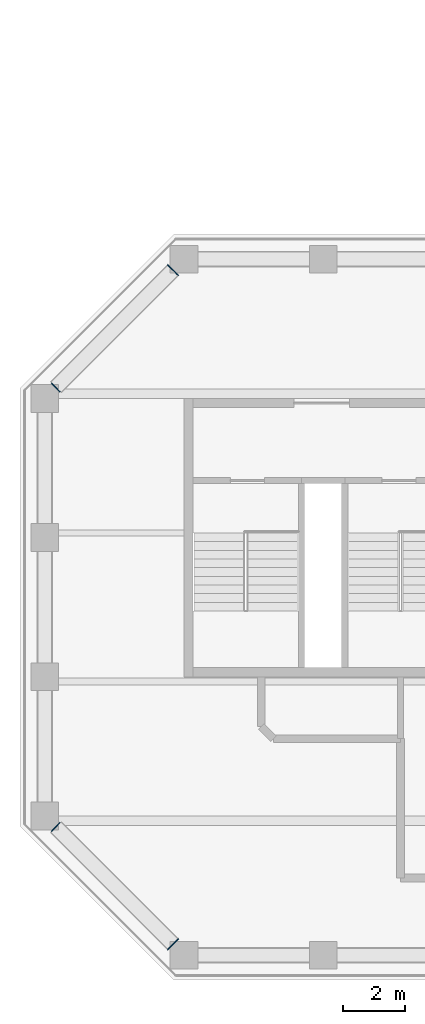
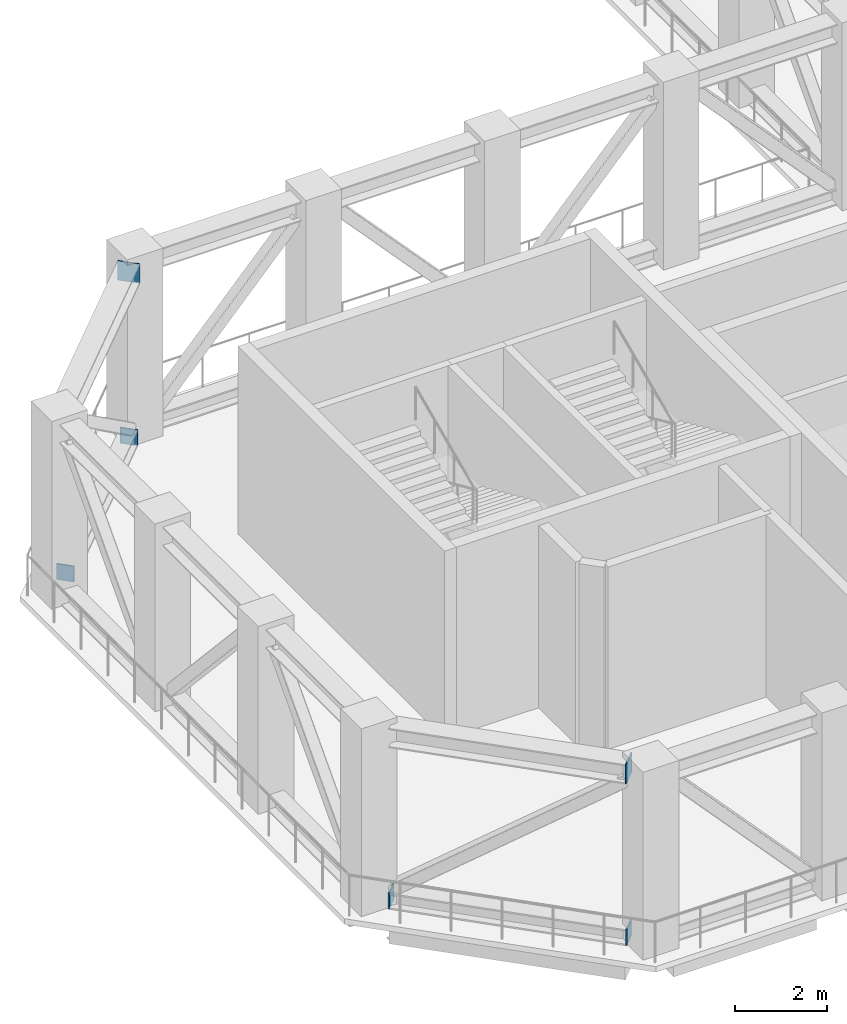
# One storey, part 8 of 13: 6 discrete accessories.
"""IFC4 building model written with IfcOpenShell, lengths in metres."""

from ifc_helpers import new_model, si_unit, direction, frame, origin, origin_2d, place, context, subcontext, project, spatial, rectangle, extrude, material, element, save


model = new_model("IFC4")

# Units and contexts
model_context = context("Model", 3, precision=1e-05, world=origin(), true_north=direction((0.0, 1.0)))
body_context = subcontext(model_context, "Body", "Model", "MODEL_VIEW")
ifc_project = project(units=[si_unit("LENGTHUNIT", "METRE"), si_unit("AREAUNIT", "SQUARE_METRE"), si_unit("VOLUMEUNIT", "CUBIC_METRE"), si_unit("PLANEANGLEUNIT", "RADIAN"), si_unit("MASSUNIT", "GRAM", prefix="KILO")], contexts=[model_context])

# Site, building, storey
site_placement = place(None, origin())
site = spatial("IfcSite", under=ifc_project, at=site_placement, CompositionType="ELEMENT")
building_placement = place(site_placement, origin())
building = spatial("IfcBuilding", under=site, at=building_placement, Name="Quoin Convention Tower", CompositionType="ELEMENT")
storey_placement = place(building_placement, frame((0.0, 0.0, 206.89990234375)))
storey = spatial("IfcBuildingStorey", under=building, at=storey_placement, Name="L54", CompositionType="ELEMENT", Elevation=206.89990234375)

# Discrete accessories
ifc_material = material(Name="Steel Grade 350", Category="steel")
for number, where, z_axis, x_axis, name in (
    (1, (17.6455078125, 62.6455078125, 0.0), (0.0, 0.0, 1.0), (0.707106781187, 0.707106781187, 0.0), "TRUSS END PLATE TRS-L54-BC-18000_63000-13500_58500 A"),
    (2, (13.8544921875, 58.8544921875, 0.0), (0.0, 0.0, 1.0), (-0.707106781187, -0.707106781187, 0.0), "TRUSS END PLATE TRS-L54-BC-18000_63000-13500_58500 B"),
):
    element("IfcDiscreteAccessory", number, at=place(storey_placement, frame(where, z_axis=z_axis, x_axis=x_axis)), inside=storey, material=ifc_material, Name=name, ObjectType="Truss end plate", PredefinedType="USERDEFINED", context=body_context, shape_type="SweptSolid", body=[
        extrude(rectangle(XDim=0.030029296875, YDim=0.39990234375, at=origin_2d()), origin(), (0.0, 0.0, 1.0), 0.422119140625),
    ])
discrete_accessory_1_placement = place(storey_placement, frame((17.6455078125, 62.6455078125, 4.3359375), z_axis=(0.0, 0.0, 1.0), x_axis=(0.707106781187, 0.707106781187, 0.0)))
element("IfcDiscreteAccessory", 3, at=discrete_accessory_1_placement, inside=storey, material=ifc_material, Name="TRUSS END PLATE TRS-L54-TC-18000_63000-13500_58500 A", ObjectType="Truss end plate", PredefinedType="USERDEFINED", context=body_context, shape_type="SweptSolid", body=[
    extrude(rectangle(XDim=0.030029296875, YDim=0.5, at=origin_2d()), origin(), (0.0, 0.0, 1.0), 0.513916015625),
])
for number, where, z_axis, x_axis, name in (
    (4, (13.8544921875, 44.6455078125, 0.0), (0.0, 0.0, 1.0), (-0.707106781187, 0.707106781187, 0.0), "TRUSS END PLATE TRS-L54-BC-13500_45000-18000_40500 A"),
    (5, (17.6455078125, 40.8544921875, 0.0), (0.0, 0.0, 1.0), (0.707106781187, -0.707106781187, 0.0), "TRUSS END PLATE TRS-L54-BC-13500_45000-18000_40500 B"),
):
    element("IfcDiscreteAccessory", number, at=place(storey_placement, frame(where, z_axis=z_axis, x_axis=x_axis)), inside=storey, material=ifc_material, Name=name, ObjectType="Truss end plate", PredefinedType="USERDEFINED", context=body_context, shape_type="SweptSolid", body=[
        extrude(rectangle(XDim=0.030029296875, YDim=0.39990234375, at=origin_2d()), origin(), (0.0, 0.0, 1.0), 0.422119140625),
    ])
discrete_accessory_2_placement = place(storey_placement, frame((17.6455078125, 40.8544921875, 4.3359375), z_axis=(0.0, 0.0, 1.0), x_axis=(0.707106781187, -0.707106781187, 0.0)))
element("IfcDiscreteAccessory", 6, at=discrete_accessory_2_placement, inside=storey, material=ifc_material, Name="TRUSS END PLATE TRS-L54-TC-13500_45000-18000_40500 B", ObjectType="Truss end plate", PredefinedType="USERDEFINED", context=body_context, shape_type="SweptSolid", body=[
    extrude(rectangle(XDim=0.030029296875, YDim=0.5, at=origin_2d()), origin(), (0.0, 0.0, 1.0), 0.513916015625),
])

save(model, "model.ifc")
